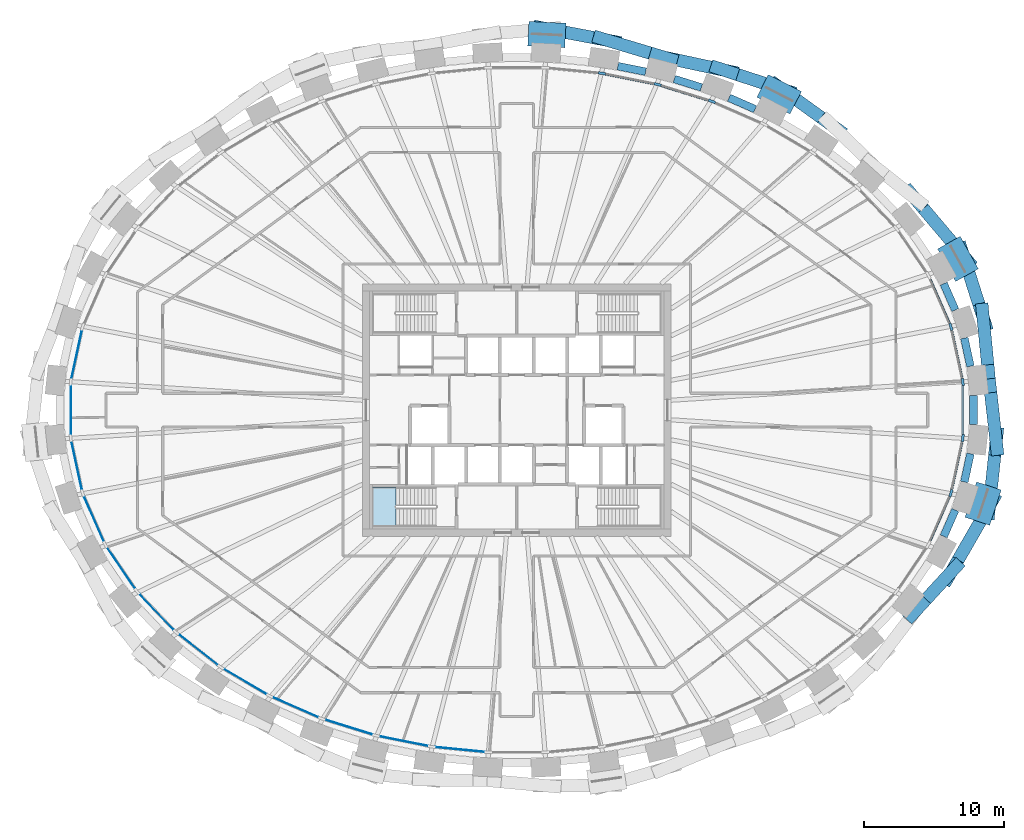
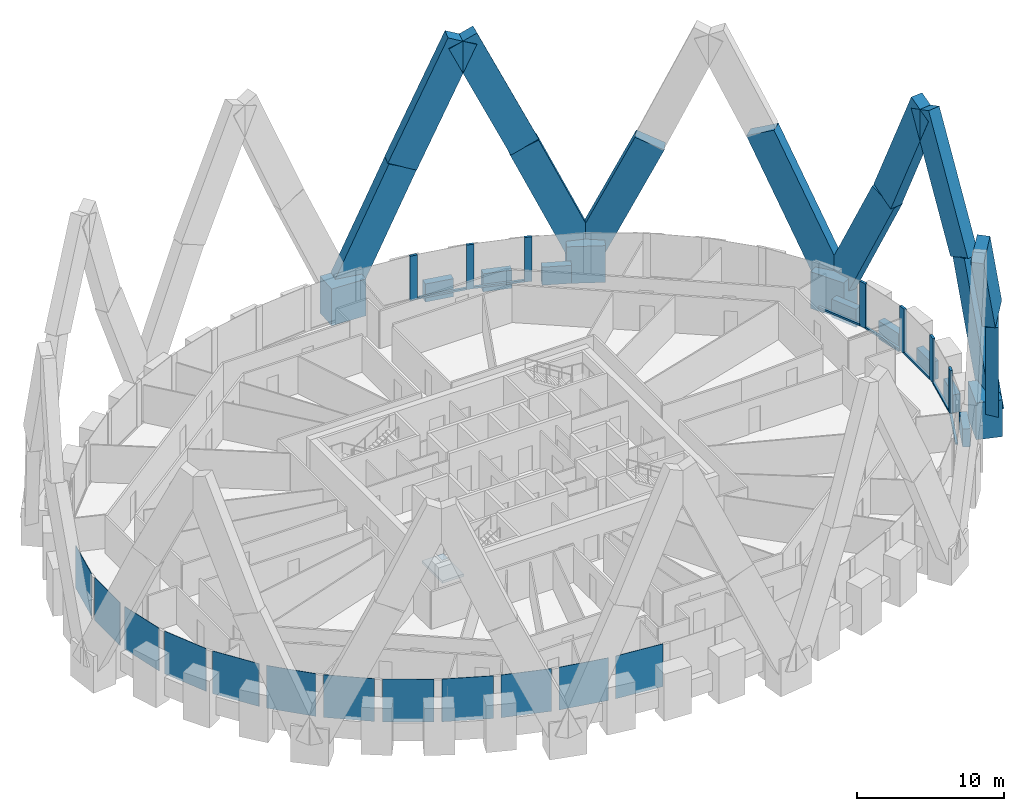
# One storey, part 5 of 14: 30 members, 12 plates, 8 beams, 1 slab, 2 elements without a shape of their own.
"""IFC4 building model written with IfcOpenShell, lengths in metres."""

from ifc_helpers import new_model, si_unit, direction, frame, origin, origin_2d, place, context, subcontext, project, spatial, polyline, rectangle, outline, extrude, source, transform, mapped, material, layer, layer_set, material_profile, profile_set, type_object, element, aggregate, save


model = new_model("IFC4")

# Units and contexts
model_context = context("Model", 3, precision=1e-05, world=origin(), true_north=direction((0.0, 1.0)))
body_context = subcontext(model_context, "Body", "Model", "MODEL_VIEW")
ifc_project = project(units=[si_unit("LENGTHUNIT", "METRE"), si_unit("AREAUNIT", "SQUARE_METRE"), si_unit("VOLUMEUNIT", "CUBIC_METRE"), si_unit("PLANEANGLEUNIT", "RADIAN"), si_unit("MASSUNIT", "GRAM", prefix="KILO")], contexts=[model_context])

# Site, building, storey
site_placement = place(None, origin())
site = spatial("IfcSite", under=ifc_project, at=site_placement, CompositionType="ELEMENT")
building_placement = place(site_placement, origin())
building = spatial("IfcBuilding", under=site, at=building_placement, Name="Embergate Tower", CompositionType="ELEMENT")
storey_placement = place(building_placement, frame((0.0, 0.0, 257.800048828125)))
storey = spatial("IfcBuildingStorey", under=building, at=storey_placement, Name="L59", CompositionType="ELEMENT", Elevation=257.800048828125)

# Beams
ifc_material_1 = material(Name="Concrete C60", Category="concrete")
ifc_material_profile_1 = material_profile(ifc_material_1, rectangle(XDim=0.550048828125, YDim=1.5, at=origin_2d()), Name="RC 550x1500")
ifc_profile_set_1 = profile_set([ifc_material_profile_1], Name="Concrete C60")
beam_type = type_object("IfcBeamType", Name="Spandrel beam RC 550x1500 C60", PredefinedType="BEAM", material=ifc_profile_set_1)
shared_shape_1 = source(origin(), body_context, "Body", "SweptSolid", [
    extrude(rectangle(XDim=0.550048828125, YDim=1.5, at=origin_2d()), origin(), (0.0, 0.0, 1.0), 2.05810546875),
])
for number, where, z_axis, x_axis, name in (
    (1, (32.343994140625, 3.116943359375, 0.0), (-0.210444450804, 0.977605816843, 0.0), (-0.977605816843, -0.210444450804, 0.0), "SPN-L59-00"),
    (2, (31.910888671875, -5.12890625, 0.0), (0.210444450804, 0.977605816843, 0.0), (-0.977605816843, 0.210444450804, 0.0), "SPN-L59-42"),
    (3, (32.56591796875, -1.029052734375, 0.0), (0.0, 1.0, 0.0), (-1.0, 0.0, 0.0), "SPN-L59-43"),
):
    element("IfcBeam", number, at=place(storey_placement, frame(where, z_axis=z_axis, x_axis=x_axis)), inside=storey, type_object=beam_type, Name=name, PredefinedType="BEAM", context=body_context, shape_type="MappedRepresentation", body=[
        mapped(shared_shape_1, transform((0.0, 0.0, 0.0))),
    ])
shared_shape_2 = source(origin(), body_context, "Body", "SweptSolid", [
    extrude(rectangle(XDim=0.550048828125, YDim=1.5, at=origin_2d()), origin(), (0.0, 0.0, 1.0), 2.054443359375),
])
for number, where, z_axis, x_axis, name in (
    (4, (31.264892578125, 7.126953125, 0.0), (-0.402021652571, 0.915630160526, 0.0), (-0.915630160526, -0.402021652571, 0.0), "SPN-L59-01"),
    (5, (30.43896484375, -9.008056640625, 0.0), (0.402021652571, 0.915630160526, 0.0), (-0.915630160526, 0.402021652571, 0.0), "SPN-L59-41"),
):
    element("IfcBeam", number, at=place(storey_placement, frame(where, z_axis=z_axis, x_axis=x_axis)), inside=storey, type_object=beam_type, Name=name, PredefinedType="BEAM", context=body_context, shape_type="MappedRepresentation", body=[
        mapped(shared_shape_2, transform((0.0, 0.0, 0.0))),
    ])
shared_shape_3 = source(origin(), body_context, "Body", "SweptSolid", [
    extrude(rectangle(XDim=0.550048828125, YDim=1.5, at=origin_2d()), origin(), (0.0, 0.0, 1.0), 2.03076171875),
])
beam_1_placement = place(storey_placement, frame((16.991943359375, 21.451904296875, 0.0), z_axis=(-0.916361402872, 0.400352069216, 0.0), x_axis=(-0.400352069216, -0.916361402872, 0.0)))
element("IfcBeam", 6, at=beam_1_placement, inside=storey, type_object=beam_type, Name="SPN-L59-06", PredefinedType="BEAM", context=body_context, shape_type="MappedRepresentation", body=[
    mapped(shared_shape_3, transform((0.0, 0.0, 0.0))),
])
shared_shape_4 = source(origin(), body_context, "Body", "SweptSolid", [
    extrude(rectangle(XDim=0.550048828125, YDim=1.5, at=origin_2d()), origin(), (0.0, 0.0, 1.0), 2.02880859375),
])
beam_2_placement = place(storey_placement, frame((13.1640625, 22.9990234375, 0.0), z_axis=(-0.954800624546, 0.297246980417, 0.0), x_axis=(-0.297246980417, -0.954800624546, 0.0)))
element("IfcBeam", 7, at=beam_2_placement, inside=storey, type_object=beam_type, Name="SPN-L59-07", PredefinedType="BEAM", context=body_context, shape_type="MappedRepresentation", body=[
    mapped(shared_shape_4, transform((0.0, 0.0, 0.0))),
])
shared_shape_5 = source(origin(), body_context, "Body", "SweptSolid", [
    extrude(rectangle(XDim=0.550048828125, YDim=1.5, at=origin_2d()), origin(), (0.0, 0.0, 1.0), 2.02734375),
])
beam_3_placement = place(storey_placement, frame((9.19189453125, 24.1220703125, 0.0), z_axis=(-0.980543602706, 0.196301409041, 0.0), x_axis=(-0.196301409041, -0.980543602706, 0.0)))
element("IfcBeam", 8, at=beam_3_placement, inside=storey, type_object=beam_type, Name="SPN-L59-08", PredefinedType="BEAM", context=body_context, shape_type="MappedRepresentation", body=[
    mapped(shared_shape_5, transform((0.0, 0.0, 0.0))),
])

# Members
ifc_material_2 = material(Name="Concrete C70", Category="concrete")
ifc_material_profile_2 = material_profile(ifc_material_2, rectangle(XDim=1.85009765625, YDim=2.64990234375, at=origin_2d()), Name="RC 1850x2650")
ifc_profile_set_2 = profile_set([ifc_material_profile_2], Name="Concrete C70")
member_type_1 = type_object("IfcMemberType", Name="Lattice node block RC 1850x2650", PredefinedType="POST", material=ifc_profile_set_2)
shared_shape_6 = source(origin(), body_context, "Body", "SweptSolid", [
    extrude(rectangle(XDim=1.85009765625, YDim=2.64990234375, at=origin_2d()), origin(), (0.0, 0.0, 1.0), 3.050048828125),
])
for number, where, z_axis, x_axis, name in (
    (9, (31.4560546875, 10.77587890625, -1.525146484375), (0.0, 0.0, 1.0), (0.873491969053, 0.486838556403, 0.0), "NOD-L59-02"),
    (10, (33.2548828125, -6.6708984375, -1.525146484375), (0.0, 0.0, 1.0), (0.950754033697, -0.309946394413, 0.0), "NOD-L59-42"),
):
    element("IfcMember", number, at=place(storey_placement, frame(where, z_axis=z_axis, x_axis=x_axis)), inside=storey, type_object=member_type_1, Name=name, PredefinedType="POST", context=body_context, shape_type="MappedRepresentation", body=[
        mapped(shared_shape_6, transform((0.0, 0.0, 0.0))),
    ])
ifc_material_profile_3 = material_profile(ifc_material_2, rectangle(XDim=1.800048828125, YDim=2.64990234375, at=origin_2d()), Name="RC 1800x2650")
ifc_profile_set_3 = profile_set([ifc_material_profile_3], Name="Concrete C70")
member_type_2 = type_object("IfcMemberType", Name="Lattice node block RC 1800x2650", PredefinedType="POST", material=ifc_profile_set_3)
shared_shape_7 = source(origin(), body_context, "Body", "SweptSolid", [
    extrude(rectangle(XDim=1.800048828125, YDim=2.64990234375, at=origin_2d()), origin(), (0.0, 0.0, 1.0), 3.050048828125),
])
member_1_placement = place(storey_placement, frame((18.708984375, 22.513916015625, -1.525146484375), z_axis=(0.0, 0.0, 1.0), x_axis=(0.452994952881, 0.891513080478, 0.0)))
element("IfcMember", 11, at=member_1_placement, inside=storey, type_object=member_type_2, Name="NOD-L59-06", PredefinedType="POST", context=body_context, shape_type="MappedRepresentation", body=[
    mapped(shared_shape_7, transform((0.0, 0.0, 0.0))),
])
ifc_material_profile_4 = material_profile(ifc_material_2, rectangle(XDim=1.75, YDim=2.64990234375, at=origin_2d()), Name="RC 1750x2650")
ifc_profile_set_4 = profile_set([ifc_material_profile_4], Name="Concrete C70")
member_type_3 = type_object("IfcMemberType", Name="Lattice node block RC 1750x2650", PredefinedType="POST", material=ifc_profile_set_4)
shared_shape_8 = source(origin(), body_context, "Body", "SweptSolid", [
    extrude(rectangle(XDim=1.75, YDim=2.64990234375, at=origin_2d()), origin(), (0.0, 0.0, 1.0), 3.050048828125),
])
member_2_placement = place(storey_placement, frame((2.14404296875, 26.76904296875, -1.525146484375), z_axis=(0.0, 0.0, 1.0), x_axis=(0.048814904854, 0.998807841912, 0.0)))
element("IfcMember", 12, at=member_2_placement, inside=storey, type_object=member_type_3, Name="NOD-L59-10", PredefinedType="POST", context=body_context, shape_type="MappedRepresentation", body=[
    mapped(shared_shape_8, transform((0.0, 0.0, 0.0))),
])
ifc_material_profile_5 = material_profile(ifc_material_2, rectangle(XDim=0.89990234375, YDim=2.199951171875, at=origin_2d()), Name="RC 900x2200")
ifc_profile_set_5 = profile_set([ifc_material_profile_5], Name="Concrete C70")
member_type_4 = type_object("IfcMemberType", Name="Lattice diagonal terracotta-faced RC 900x2200", PredefinedType="BRACE", material=ifc_profile_set_5)
shared_shape_9 = source(origin(), body_context, "Body", "SweptSolid", [
    extrude(rectangle(XDim=0.89990234375, YDim=2.199951171875, at=origin_2d()), origin(), (0.0, 0.0, 1.0), 10.78173828125),
])
member_3_placement = place(storey_placement, frame((31.85009765625, 10.99609375, 0.0), z_axis=(0.129748484918, -0.406703758747, 0.90429938808), x_axis=(0.952693527947, 0.303932627088, 0.0)))
element("IfcMember", 13, at=member_3_placement, inside=storey, type_object=member_type_4, Name="BRC-L59-02-00-S00", PredefinedType="BRACE", context=body_context, shape_type="MappedRepresentation", body=[
    mapped(shared_shape_9, transform((0.0, 0.0, 0.0))),
])
shared_shape_10 = source(origin(), body_context, "Body", "SweptSolid", [
    extrude(rectangle(XDim=0.89990234375, YDim=2.199951171875, at=origin_2d()), origin(), (0.0, 0.0, 1.0), 10.698974609375),
])
member_4_placement = place(storey_placement, frame((33.2490234375, 6.611083984375, 9.75), z_axis=(0.04009341845, -0.409765233409, 0.911309481618), x_axis=(0.995247290868, 0.09737982347, 0.0)))
element("IfcMember", 14, at=member_4_placement, inside=storey, type_object=member_type_4, Name="BRC-L59-02-00-S01", PredefinedType="BRACE", context=body_context, shape_type="MappedRepresentation", body=[
    mapped(shared_shape_10, transform((0.0, 0.0, 0.0))),
])
shared_shape_11 = source(origin(), body_context, "Body", "SweptSolid", [
    extrude(rectangle(XDim=0.89990234375, YDim=2.199951171875, at=origin_2d()), origin(), (0.0, 0.0, 1.0), 12.894775390625),
])
member_5_placement = place(storey_placement, frame((31.85009765625, 10.99609375, 0.0), z_axis=(-0.271673636456, 0.32082443165, 0.907339583238), x_axis=(-0.763143655581, -0.646228876596, 0.0)))
element("IfcMember", 15, at=member_5_placement, inside=storey, type_object=member_type_4, Name="BRC-L59-02-04-S00", PredefinedType="BRACE", context=body_context, shape_type="MappedRepresentation", body=[
    mapped(shared_shape_11, transform((0.0, 0.0, 0.0))),
])
shared_shape_12 = source(origin(), body_context, "Body", "SweptSolid", [
    extrude(rectangle(XDim=0.89990234375, YDim=2.199951171875, at=origin_2d()), origin(), (0.0, 0.0, 1.0), 10.723388671875),
])
member_6_placement = place(storey_placement, frame((18.89599609375, 22.882080078125, 0.0), z_axis=(0.337591453025, -0.24358584812, 0.909229314002), x_axis=(0.585127079065, 0.810941614017, 0.0)))
element("IfcMember", 16, at=member_6_placement, inside=storey, type_object=member_type_4, Name="BRC-L59-06-04-S00", PredefinedType="BRACE", context=body_context, shape_type="MappedRepresentation", body=[
    mapped(shared_shape_12, transform((0.0, 0.0, 0.0))),
])
shared_shape_13 = source(origin(), body_context, "Body", "SweptSolid", [
    extrude(rectangle(XDim=0.89990234375, YDim=2.199951171875, at=origin_2d()), origin(), (0.0, 0.0, 1.0), 10.663330078125),
])
member_7_placement = place(storey_placement, frame((18.89599609375, 22.882080078125, 0.0), z_axis=(-0.384688358082, 0.126405453218, 0.914350331412), x_axis=(-0.312170785932, -0.95002599986, 0.0)))
element("IfcMember", 17, at=member_7_placement, inside=storey, type_object=member_type_4, Name="BRC-L59-06-08-S00", PredefinedType="BRACE", context=body_context, shape_type="MappedRepresentation", body=[
    mapped(shared_shape_13, transform((0.0, 0.0, 0.0))),
])
shared_shape_14 = source(origin(), body_context, "Body", "SweptSolid", [
    extrude(rectangle(XDim=0.89990234375, YDim=2.199951171875, at=origin_2d()), origin(), (0.0, 0.0, 1.0), 10.704345703125),
])
member_8_placement = place(storey_placement, frame((14.7939453125, 24.22998046875, 9.75), z_axis=(-0.40346936671, 0.086966008777, 0.910850911754), x_axis=(-0.210706379156, -0.977549396083, 0.0)))
element("IfcMember", 18, at=member_8_placement, inside=storey, type_object=member_type_4, Name="BRC-L59-06-08-S01", PredefinedType="BRACE", context=body_context, shape_type="MappedRepresentation", body=[
    mapped(shared_shape_14, transform((0.0, 0.0, 0.0))),
])
shared_shape_15 = source(origin(), body_context, "Body", "SweptSolid", [
    extrude(rectangle(XDim=0.89990234375, YDim=2.199951171875, at=origin_2d()), origin(), (0.0, 0.0, 1.0), 10.676513671875),
])
member_9_placement = place(storey_placement, frame((2.1650390625, 27.180908203125, 0.0), z_axis=(0.400313837781, -0.075942091584, 0.913225946854), x_axis=(0.186382220493, 0.982477311638, 0.0)))
element("IfcMember", 19, at=member_9_placement, inside=storey, type_object=member_type_4, Name="BRC-L59-10-08-S00", PredefinedType="BRACE", context=body_context, shape_type="MappedRepresentation", body=[
    mapped(shared_shape_15, transform((0.0, 0.0, 0.0))),
])
shared_shape_16 = source(origin(), body_context, "Body", "SweptSolid", [
    extrude(rectangle(XDim=0.89990234375, YDim=2.199951171875, at=origin_2d()), origin(), (0.0, 0.0, 1.0), 10.621337890625),
])
member_10_placement = place(storey_placement, frame((6.43896484375, 26.3701171875, 9.75), z_axis=(0.379998453417, -0.11384783086, 0.917954163784), x_axis=(0.286997012246, 0.957931477175, 0.0)))
element("IfcMember", 20, at=member_10_placement, inside=storey, type_object=member_type_4, Name="BRC-L59-10-08-S01", PredefinedType="BRACE", context=body_context, shape_type="MappedRepresentation", body=[
    mapped(shared_shape_16, transform((0.0, 0.0, 0.0))),
])
shared_shape_17 = source(origin(), body_context, "Body", "SweptSolid", [
    extrude(rectangle(XDim=0.89990234375, YDim=2.199951171875, at=origin_2d()), origin(), (0.0, 0.0, 1.0), 10.781982421875),
])
member_11_placement = place(storey_placement, frame((33.699951171875, -6.81591796875, 0.0), z_axis=(0.044607540567, 0.424586798561, 0.904287685315), x_axis=(-0.994526357863, 0.104485996746, 0.0)))
element("IfcMember", 21, at=member_11_placement, inside=storey, type_object=member_type_4, Name="BRC-L59-42-00-S00", PredefinedType="BRACE", context=body_context, shape_type="MappedRepresentation", body=[
    mapped(shared_shape_17, transform((0.0, 0.0, 0.0))),
])
shared_shape_18 = source(origin(), body_context, "Body", "SweptSolid", [
    extrude(rectangle(XDim=0.89990234375, YDim=2.199951171875, at=origin_2d()), origin(), (0.0, 0.0, 1.0), 10.735595703125),
])
member_12_placement = place(storey_placement, frame((34.180908203125, -2.238037109375, 9.75), z_axis=(-0.046847044024, 0.415915334053, 0.908195898122), x_axis=(-0.993716292172, -0.111928238935, 0.0)))
element("IfcMember", 22, at=member_12_placement, inside=storey, type_object=member_type_4, Name="BRC-L59-42-00-S01", PredefinedType="BRACE", context=body_context, shape_type="MappedRepresentation", body=[
    mapped(shared_shape_18, transform((0.0, 0.0, 0.0))),
])
shared_shape_19 = source(origin(), body_context, "Body", "SweptSolid", [
    extrude(rectangle(XDim=0.89990234375, YDim=2.199951171875, at=origin_2d()), origin(), (0.0, 0.0, 1.0), 12.913330078125),
])
member_13_placement = place(storey_placement, frame((33.699951171875, -6.81591796875, 0.0), z_axis=(-0.21125786674, -0.366685728067, 0.906041770876), x_axis=(0.866483682459, -0.499205396638, 0.0)))
element("IfcMember", 23, at=member_13_placement, inside=storey, type_object=member_type_4, Name="BRC-L59-42-40-S00", PredefinedType="BRACE", context=body_context, shape_type="MappedRepresentation", body=[
    mapped(shared_shape_19, transform((0.0, 0.0, 0.0))),
])
shared_shape_20 = source(origin(), body_context, "Body", "SweptSolid", [
    extrude(rectangle(XDim=0.89990234375, YDim=2.199951171875, at=origin_2d()), origin(), (0.0, 0.0, 1.0), 8.60693359375),
])
member_14_placement = place(storey_placement, frame((30.971923828125, -11.551025390625, 11.699951171875), z_axis=(-0.285925574952, -0.311369547247, 0.906253590688), x_axis=(0.736560587673, -0.676371569987, 0.0)))
element("IfcMember", 24, at=member_14_placement, inside=storey, type_object=member_type_4, Name="BRC-L59-42-40-S01", PredefinedType="BRACE", context=body_context, shape_type="MappedRepresentation", body=[
    mapped(shared_shape_20, transform((0.0, 0.0, 0.0))),
])

# Curtain wall, members, plates
ifc_material_3 = material(Name="Aluminium and glass", Category="aluminium")
curtain_wall_type = type_object("IfcCurtainWallType", Name="Recessed office glazing", PredefinedType="NOTDEFINED", material=ifc_material_3)
curtain_wall_placement = place(storey_placement, origin())
curtain_wall = element("IfcCurtainWall", 25, at=curtain_wall_placement, inside=storey, type_object=curtain_wall_type, Name="Recessed office glazing ring", ObjectType="RECESSED OFFICE GLAZING", PredefinedType="USERDEFINED")
ifc_material_4 = material(Name="Aluminium, thermally broken", Category="aluminium")
ifc_material_profile_6 = material_profile(ifc_material_4, rectangle(XDim=0.179931640625, YDim=0.52001953125, at=origin_2d()), Name="AL 520x180")
ifc_profile_set_6 = profile_set([ifc_material_profile_6], Name="Aluminium, thermally broken")
member_type_5 = type_object("IfcMemberType", Name="Office mullion", PredefinedType="MULLION", material=ifc_profile_set_6)
shared_shape_21 = source(origin(), body_context, "Body", "SweptSolid", [
    extrude(rectangle(XDim=0.179931640625, YDim=0.52001953125, at=origin_2d()), origin(), (0.0, 0.0, 1.0), 3.699951171875),
])
member_15_placement = place(storey_placement, frame((31.802490234375, 2.003173828125, 0.0), z_axis=(0.0, 0.0, 1.0), x_axis=(-0.994384400633, -0.105828463931, 0.0)))
member_15 = element("IfcMember", 26, at=member_15_placement, type_object=member_type_5, Name="CW mullion 1", PredefinedType="MULLION", context=body_context, shape_type="MappedRepresentation", body=[
    mapped(shared_shape_21, transform((0.0, 0.0, 0.0))),
])
member_16_placement = place(storey_placement, frame((30.958984375, 5.922607421875, 0.0), z_axis=(0.0, 0.0, 1.0), x_axis=(-0.9514940392, -0.307667179542, 0.0)))
member_16 = element("IfcMember", 27, at=member_16_placement, type_object=member_type_5, Name="CW mullion 2", PredefinedType="MULLION", context=body_context, shape_type="MappedRepresentation", body=[
    mapped(shared_shape_21, transform((0.0, 0.0, 0.0))),
])
member_17_placement = place(storey_placement, frame((13.914794921875, 22.006591796875, 0.0), z_axis=(0.0, 0.0, 1.0), x_axis=(-0.349497777064, -0.936937193107, 0.0)))
member_17 = element("IfcMember", 28, at=member_17_placement, type_object=member_type_5, Name="CW mullion 8", PredefinedType="MULLION", context=body_context, shape_type="MappedRepresentation", body=[
    mapped(shared_shape_21, transform((0.0, 0.0, 0.0))),
])
member_18_placement = place(storey_placement, frame((10.0439453125, 23.2119140625, 0.0), z_axis=(0.0, 0.0, 1.0), x_axis=(-0.247308499144, -0.96893679167, 0.0)))
member_18 = element("IfcMember", 29, at=member_18_placement, type_object=member_type_5, Name="CW mullion 9", PredefinedType="MULLION", context=body_context, shape_type="MappedRepresentation", body=[
    mapped(shared_shape_21, transform((0.0, 0.0, 0.0))),
])
member_19_placement = place(storey_placement, frame((6.06689453125, 24.009521484375, 0.0), z_axis=(0.0, 0.0, 1.0), x_axis=(-0.147410656556, -0.989075375456, 0.0)))
member_19 = element("IfcMember", 30, at=member_19_placement, type_object=member_type_5, Name="CW mullion 10", PredefinedType="MULLION", context=body_context, shape_type="MappedRepresentation", body=[
    mapped(shared_shape_21, transform((0.0, 0.0, 0.0))),
])
member_20_placement = place(storey_placement, frame((30.958984375, -5.922607421875, 0.0), z_axis=(0.0, 0.0, 1.0), x_axis=(-0.9514940392, 0.307667179542, 0.0)))
member_20 = element("IfcMember", 31, at=member_20_placement, type_object=member_type_5, Name="CW mullion 43", PredefinedType="MULLION", context=body_context, shape_type="MappedRepresentation", body=[
    mapped(shared_shape_21, transform((0.0, 0.0, 0.0))),
])
member_21_placement = place(storey_placement, frame((31.802490234375, -2.003173828125, 0.0), z_axis=(0.0, 0.0, 1.0), x_axis=(-0.994384400633, 0.105828463931, 0.0)))
member_21 = element("IfcMember", 32, at=member_21_placement, type_object=member_type_5, Name="CW mullion 44", PredefinedType="MULLION", context=body_context, shape_type="MappedRepresentation", body=[
    mapped(shared_shape_21, transform((0.0, 0.0, 0.0))),
])
ifc_material_profile_7 = material_profile(ifc_material_4, rectangle(XDim=0.179931640625, YDim=0.14990234375, at=origin_2d()), Name="AL 150x180")
ifc_profile_set_7 = profile_set([ifc_material_profile_7], Name="Aluminium, thermally broken")
member_type_6 = type_object("IfcMemberType", Name="Office sill transom", PredefinedType="USERDEFINED", material=ifc_profile_set_7)
shared_shape_22 = source(origin(), body_context, "Body", "SweptSolid", [
    extrude(rectangle(XDim=0.179931640625, YDim=0.14990234375, at=origin_2d()), origin(), (0.0, 0.0, 1.0), 3.4892578125),
])
member_22_placement = place(storey_placement, frame((31.747802734375, 2.25732421875, 0.074951171875), z_axis=(-0.21033180344, 0.977630059103, 0.0), x_axis=(-0.977630059103, -0.21033180344, 0.0)))
member_22 = element("IfcMember", 33, at=member_22_placement, type_object=member_type_6, Name="CW transom 1.1", ObjectType="TRANSOM", PredefinedType="USERDEFINED", context=body_context, shape_type="MappedRepresentation", body=[
    mapped(shared_shape_22, transform((0.0, 0.0, 0.0))),
])
member_23_placement = place(storey_placement, frame((31.013916015625, -5.66845703125, 0.074951171875), z_axis=(0.21033180344, 0.977630059103, 0.0), x_axis=(-0.977630059103, 0.21033180344, 0.0)))
member_23 = element("IfcMember", 34, at=member_23_placement, type_object=member_type_6, Name="CW transom 43.1", ObjectType="TRANSOM", PredefinedType="USERDEFINED", context=body_context, shape_type="MappedRepresentation", body=[
    mapped(shared_shape_22, transform((0.0, 0.0, 0.0))),
])
shared_shape_23 = source(origin(), body_context, "Body", "SweptSolid", [
    extrude(rectangle(XDim=0.179931640625, YDim=0.14990234375, at=origin_2d()), origin(), (0.0, 0.0, 1.0), 3.49609375),
])
member_24_placement = place(storey_placement, frame((30.854736328125, 6.16064453125, 0.074951171875), z_axis=(-0.401675879714, 0.915781899612, 0.0), x_axis=(-0.915781899612, -0.401675879714, 0.0)))
member_24 = element("IfcMember", 35, at=member_24_placement, type_object=member_type_6, Name="CW transom 2.1", ObjectType="TRANSOM", PredefinedType="USERDEFINED", context=body_context, shape_type="MappedRepresentation", body=[
    mapped(shared_shape_23, transform((0.0, 0.0, 0.0))),
])
member_25_placement = place(storey_placement, frame((29.450439453125, -9.3623046875, 0.074951171875), z_axis=(0.401675879714, 0.915781899612, 0.0), x_axis=(-0.915781899612, 0.401675879714, 0.0)))
member_25 = element("IfcMember", 36, at=member_25_placement, type_object=member_type_6, Name="CW transom 42.1", ObjectType="TRANSOM", PredefinedType="USERDEFINED", context=body_context, shape_type="MappedRepresentation", body=[
    mapped(shared_shape_23, transform((0.0, 0.0, 0.0))),
])
shared_shape_24 = source(origin(), body_context, "Body", "SweptSolid", [
    extrude(rectangle(XDim=0.179931640625, YDim=0.14990234375, at=origin_2d()), origin(), (0.0, 0.0, 1.0), 3.5341796875),
])
member_26_placement = place(storey_placement, frame((13.66650390625, 22.083740234375, 0.074951171875), z_axis=(-0.954775746564, 0.297326880342, 0.0), x_axis=(-0.297326880342, -0.954775746564, 0.0)))
member_26 = element("IfcMember", 37, at=member_26_placement, type_object=member_type_6, Name="CW transom 8.1", ObjectType="TRANSOM", PredefinedType="USERDEFINED", context=body_context, shape_type="MappedRepresentation", body=[
    mapped(shared_shape_24, transform((0.0, 0.0, 0.0))),
])
shared_shape_25 = source(origin(), body_context, "Body", "SweptSolid", [
    extrude(rectangle(XDim=0.179931640625, YDim=0.14990234375, at=origin_2d()), origin(), (0.0, 0.0, 1.0), 3.5361328125),
])
member_27_placement = place(storey_placement, frame((9.7890625, 23.262939453125, 0.074951171875), z_axis=(-0.980463661571, 0.196700300811, 0.0), x_axis=(-0.196700300811, -0.980463661571, 0.0)))
member_27 = element("IfcMember", 38, at=member_27_placement, type_object=member_type_6, Name="CW transom 9.1", ObjectType="TRANSOM", PredefinedType="USERDEFINED", context=body_context, shape_type="MappedRepresentation", body=[
    mapped(shared_shape_25, transform((0.0, 0.0, 0.0))),
])
shared_shape_26 = source(origin(), body_context, "Body", "SweptSolid", [
    extrude(rectangle(XDim=0.179931640625, YDim=0.14990234375, at=origin_2d()), origin(), (0.0, 0.0, 1.0), 3.486328125),
])
member_28_placement = place(storey_placement, frame((31.802490234375, -1.7431640625, 0.074951171875), z_axis=(0.0, 1.0, 0.0), x_axis=(-1.0, 0.0, 0.0)))
member_28 = element("IfcMember", 39, at=member_28_placement, type_object=member_type_6, Name="CW transom 44.1", ObjectType="TRANSOM", PredefinedType="USERDEFINED", context=body_context, shape_type="MappedRepresentation", body=[
    mapped(shared_shape_26, transform((0.0, 0.0, 0.0))),
])
ifc_material_5 = material(Name="Triple glazing, low-emissivity coating", Category="glass")
ifc_layer_1 = layer(ifc_material_5, 0.035888671875)
ifc_layer_set_1 = layer_set([ifc_layer_1], Name="Triple glazing, low-emissivity coating")
plate_type = type_object("IfcPlateType", Name="Office glazing unit", PredefinedType="CURTAIN_PANEL", material=ifc_layer_set_1)
shared_shape_27 = source(origin(), body_context, "Body", "SweptSolid", [
    extrude(rectangle(XDim=3.489013671875, YDim=0.035888671875, at=origin_2d()), origin(), (0.0, 0.0, 1.0), 3.550048828125),
])
plate_1_placement = place(storey_placement, frame((-31.380859375, 3.962890625, 0.14990234375), z_axis=(0.0, 0.0, 1.0), x_axis=(-0.210401803698, -0.977614996305, 0.0)))
plate_1 = element("IfcPlate", 40, at=plate_1_placement, type_object=plate_type, Name="CW panel 21.1", PredefinedType="CURTAIN_PANEL", context=body_context, shape_type="MappedRepresentation", body=[
    mapped(shared_shape_27, transform((0.0, 0.0, 0.0))),
])
plate_2_placement = place(storey_placement, frame((-31.380859375, -3.962890625, 0.14990234375), z_axis=(0.0, 0.0, 1.0), x_axis=(0.210401803698, -0.977614996305, 0.0)))
plate_2 = element("IfcPlate", 41, at=plate_2_placement, type_object=plate_type, Name="CW panel 23.1", PredefinedType="CURTAIN_PANEL", context=body_context, shape_type="MappedRepresentation", body=[
    mapped(shared_shape_27, transform((0.0, 0.0, 0.0))),
])
shared_shape_28 = source(origin(), body_context, "Body", "SweptSolid", [
    extrude(rectangle(XDim=3.495849609375, YDim=0.035888671875, at=origin_2d()), origin(), (0.0, 0.0, 1.0), 3.550048828125),
])
plate_3_placement = place(storey_placement, frame((-30.152587890625, -7.761474609375, 0.14990234375), z_axis=(0.0, 0.0, 1.0), x_axis=(0.401656896229, -0.915790225822, 0.0)))
plate_3 = element("IfcPlate", 42, at=plate_3_placement, type_object=plate_type, Name="CW panel 24.1", PredefinedType="CURTAIN_PANEL", context=body_context, shape_type="MappedRepresentation", body=[
    mapped(shared_shape_28, transform((0.0, 0.0, 0.0))),
])
shared_shape_29 = source(origin(), body_context, "Body", "SweptSolid", [
    extrude(rectangle(XDim=3.504638671875, YDim=0.035888671875, at=origin_2d()), origin(), (0.0, 0.0, 1.0), 3.550048828125),
])
plate_4_placement = place(storey_placement, frame((-28.214599609375, -11.264404296875, 0.14990234375), z_axis=(0.0, 0.0, 1.0), x_axis=(0.562346071572, -0.826901986809, 0.0)))
plate_4 = element("IfcPlate", 43, at=plate_4_placement, type_object=plate_type, Name="CW panel 25.1", PredefinedType="CURTAIN_PANEL", context=body_context, shape_type="MappedRepresentation", body=[
    mapped(shared_shape_29, transform((0.0, 0.0, 0.0))),
])
shared_shape_30 = source(origin(), body_context, "Body", "SweptSolid", [
    extrude(rectangle(XDim=3.51318359375, YDim=0.035888671875, at=origin_2d()), origin(), (0.0, 0.0, 1.0), 3.550048828125),
])
plate_5_placement = place(storey_placement, frame((-25.691162109375, -14.3876953125, 0.14990234375), z_axis=(0.0, 0.0, 1.0), x_axis=(0.690137573644, -0.723678194673, 0.0)))
plate_5 = element("IfcPlate", 44, at=plate_5_placement, type_object=plate_type, Name="CW panel 26.1", PredefinedType="CURTAIN_PANEL", context=body_context, shape_type="MappedRepresentation", body=[
    mapped(shared_shape_30, transform((0.0, 0.0, 0.0))),
])
shared_shape_31 = source(origin(), body_context, "Body", "SweptSolid", [
    extrude(rectangle(XDim=3.5205078125, YDim=0.035888671875, at=origin_2d()), origin(), (0.0, 0.0, 1.0), 3.550048828125),
])
plate_6_placement = place(storey_placement, frame((-22.706787109375, -17.08984375, 0.14990234375), z_axis=(0.0, 0.0, 1.0), x_axis=(0.788322266931, -0.615262548398, 0.0)))
plate_6 = element("IfcPlate", 45, at=plate_6_placement, type_object=plate_type, Name="CW panel 27.1", PredefinedType="CURTAIN_PANEL", context=body_context, shape_type="MappedRepresentation", body=[
    mapped(shared_shape_31, transform((0.0, 0.0, 0.0))),
])
shared_shape_32 = source(origin(), body_context, "Body", "SweptSolid", [
    extrude(rectangle(XDim=3.5263671875, YDim=0.035888671875, at=origin_2d()), origin(), (0.0, 0.0, 1.0), 3.550048828125),
])
plate_7_placement = place(storey_placement, frame((-19.370361328125, -19.358154296875, 0.14990234375), z_axis=(0.0, 0.0, 1.0), x_axis=(0.862054936934, -0.506814843614, 0.0)))
plate_7 = element("IfcPlate", 46, at=plate_7_placement, type_object=plate_type, Name="CW panel 28.1", PredefinedType="CURTAIN_PANEL", context=body_context, shape_type="MappedRepresentation", body=[
    mapped(shared_shape_32, transform((0.0, 0.0, 0.0))),
])
shared_shape_33 = source(origin(), body_context, "Body", "SweptSolid", [
    extrude(rectangle(XDim=3.53076171875, YDim=0.035888671875, at=origin_2d()), origin(), (0.0, 0.0, 1.0), 3.550048828125),
])
plate_8_placement = place(storey_placement, frame((-15.7705078125, -21.195068359375, 0.14990234375), z_axis=(0.0, 0.0, 1.0), x_axis=(0.916236910986, -0.400636896638, 0.0)))
plate_8 = element("IfcPlate", 47, at=plate_8_placement, type_object=plate_type, Name="CW panel 29.1", PredefinedType="CURTAIN_PANEL", context=body_context, shape_type="MappedRepresentation", body=[
    mapped(shared_shape_33, transform((0.0, 0.0, 0.0))),
])
shared_shape_34 = source(origin(), body_context, "Body", "SweptSolid", [
    extrude(rectangle(XDim=3.533935546875, YDim=0.035888671875, at=origin_2d()), origin(), (0.0, 0.0, 1.0), 3.550048828125),
])
plate_9_placement = place(storey_placement, frame((-11.9794921875, -22.609130859375, 0.14990234375), z_axis=(0.0, 0.0, 1.0), x_axis=(0.954772736126, -0.297336547283, 0.0)))
plate_9 = element("IfcPlate", 48, at=plate_9_placement, type_object=plate_type, Name="CW panel 30.1", PredefinedType="CURTAIN_PANEL", context=body_context, shape_type="MappedRepresentation", body=[
    mapped(shared_shape_34, transform((0.0, 0.0, 0.0))),
])
shared_shape_35 = source(origin(), body_context, "Body", "SweptSolid", [
    extrude(rectangle(XDim=3.5361328125, YDim=0.035888671875, at=origin_2d()), origin(), (0.0, 0.0, 1.0), 3.550048828125),
])
plate_10_placement = place(storey_placement, frame((-8.055419921875, -23.610595703125, 0.14990234375), z_axis=(0.0, 0.0, 1.0), x_axis=(0.980475907409, -0.196639250889, 0.0)))
plate_10 = element("IfcPlate", 49, at=plate_10_placement, type_object=plate_type, Name="CW panel 31.1", PredefinedType="CURTAIN_PANEL", context=body_context, shape_type="MappedRepresentation", body=[
    mapped(shared_shape_35, transform((0.0, 0.0, 0.0))),
])
shared_shape_36 = source(origin(), body_context, "Body", "SweptSolid", [
    extrude(rectangle(XDim=3.53759765625, YDim=0.035888671875, at=origin_2d()), origin(), (0.0, 0.0, 1.0), 3.550048828125),
])
plate_11_placement = place(storey_placement, frame((-4.048095703125, -24.2080078125, 0.14990234375), z_axis=(0.0, 0.0, 1.0), x_axis=(0.995203184788, -0.097829550688, 0.0)))
plate_11 = element("IfcPlate", 50, at=plate_11_placement, type_object=plate_type, Name="CW panel 32.1", PredefinedType="CURTAIN_PANEL", context=body_context, shape_type="MappedRepresentation", body=[
    mapped(shared_shape_36, transform((0.0, 0.0, 0.0))),
])
shared_shape_37 = source(origin(), body_context, "Body", "SweptSolid", [
    extrude(rectangle(XDim=3.486572265625, YDim=0.035888671875, at=origin_2d()), origin(), (0.0, 0.0, 1.0), 3.550048828125),
])
plate_12_placement = place(storey_placement, frame((-31.802490234375, 0.0, 0.14990234375), z_axis=(0.0, 0.0, 1.0), x_axis=(0.0, -1.0, 0.0)))
plate_12 = element("IfcPlate", 51, at=plate_12_placement, type_object=plate_type, Name="CW panel 22.1", PredefinedType="CURTAIN_PANEL", context=body_context, shape_type="MappedRepresentation", body=[
    mapped(shared_shape_37, transform((0.0, 0.0, 0.0))),
])
aggregate(curtain_wall, [member_15, member_16, member_17, member_18, member_19, member_20, member_21, member_22, member_24, member_26, member_27, plate_1, plate_12, plate_2, plate_3, plate_4, plate_5, plate_6, plate_7, plate_8, plate_9, plate_10, plate_11, member_25, member_23, member_28])

# Stair, slab
ifc_material_6 = material(Name="Exit stair")
stair_type = type_object("IfcStairType", Name="Exit stair", PredefinedType="HALF_TURN_STAIR", material=ifc_material_6)
stair_placement = place(storey_placement, origin())
stair = element("IfcStair", 52, at=stair_placement, inside=storey, type_object=stair_type, Name="L59 Exit stair 3", PredefinedType="HALF_TURN_STAIR")
ifc_material_7 = material(Name="Concrete C40", Category="concrete")
ifc_layer_2 = layer(ifc_material_7, 0.199951171875)
ifc_layer_set_2 = layer_set([ifc_layer_2], Name="Concrete C40")
slab_type = type_object("IfcSlabType", Name="Stair landing reinforced concrete", PredefinedType="LANDING", material=ifc_layer_set_2)
shared_shape_38 = source(origin(), body_context, "Body", "SweptSolid", [
    extrude(outline(polyline([(0.0, 0.0), (1.68994140625, 0.0), (1.68994140625, 2.800048828125), (0.0, 2.800048828125), (0.0, 0.0)])), origin(), (0.0, 0.0, 1.0), 0.199951171875),
])
slab_placement = place(storey_placement, frame((-10.300048828125, -8.300048828125, 1.75)))
slab = element("IfcSlab", 53, at=slab_placement, type_object=slab_type, Name="ST3 landing 1", PredefinedType="LANDING", context=body_context, shape_type="MappedRepresentation", body=[
    mapped(shared_shape_38, transform((0.0, 0.0, 0.0))),
])
aggregate(stair, [slab])

save(model, "model.ifc")
